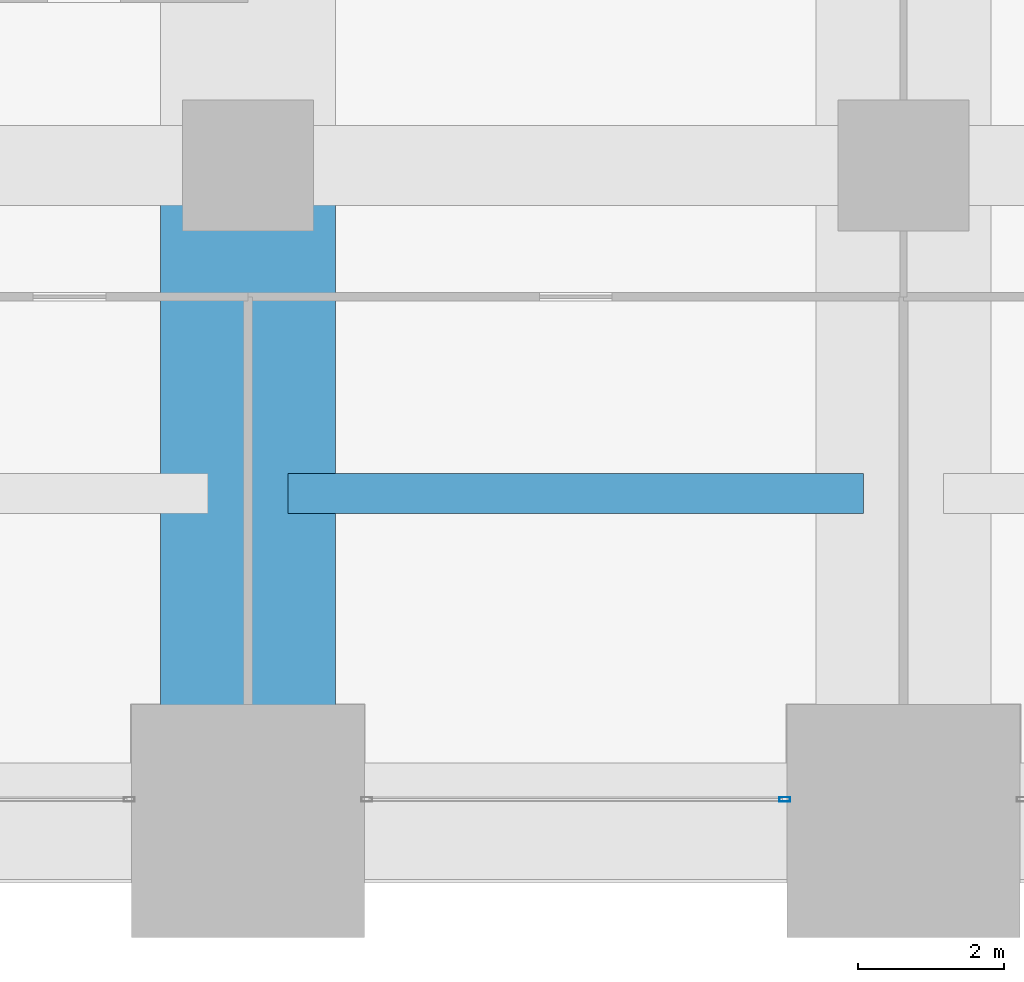
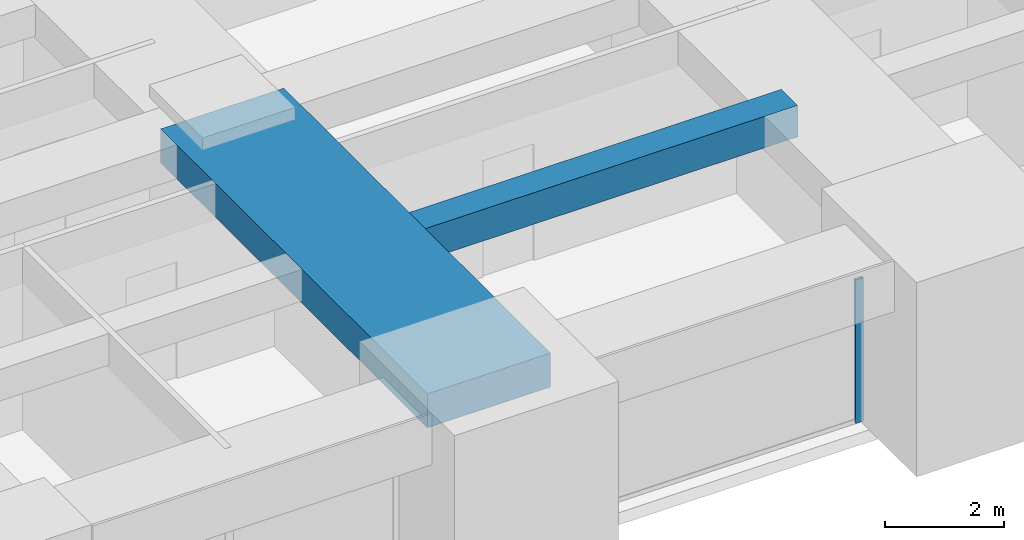
# One storey, part 7 of 36: 2 beams, 1 member, 1 element without a shape of its own.
"""IFC4 building model written with IfcOpenShell, lengths in metres."""

import ifcopenshell
import ifcopenshell.guid

model = None  # the IFC model being written
_history = None  # IfcOwnerHistory: only IFC2X3 demands one
_inside = {}  # id of a spatial element -> (the spatial element, [elements in it])
_under = {}  # id of a project, library or spatial element -> (it, [spatial elements below it])
_declared = {}  # id of a project -> (the project, [libraries it declares])
_typed = {}  # id of a type object -> (the type object, [elements of that type])
_made_of = {}  # id of a material, layer set ... -> (it, [elements and type objects made of it])


def new_model(schema):
    """Start an empty IFC model of exactly this schema.

    Asked for "IFC4X3", IfcOpenShell would pick the latest addendum, in which some entities
    have other attributes; the version numbers below select the first issue.
    IFC2X3 requires an IfcOwnerHistory on every rooted entity: one is made here for all.
    """
    global model, _history
    if schema == "IFC4X3":
        model = ifcopenshell.file(schema_version=(4, 3, 0, 0))
    else:
        model = ifcopenshell.file(schema=schema)
    _inside.clear()
    _under.clear()
    _declared.clear()
    _typed.clear()
    _made_of.clear()
    _history = None
    if model.schema == "IFC2X3":
        org = make("IfcOrganization", Name="unknown")
        user = make(
            "IfcPersonAndOrganization",
            ThePerson=make("IfcPerson", FamilyName="unknown"),
            TheOrganization=org,
        )
        app = make(
            "IfcApplication",
            ApplicationDeveloper=org,
            Version="unknown",
            ApplicationFullName="unknown",
            ApplicationIdentifier="unknown",
        )
        _history = make(
            "IfcOwnerHistory",
            OwningUser=user,
            OwningApplication=app,
            ChangeAction="ADDED",
            CreationDate=0,
        )
    return model


def make(cls, **values):
    """One entity of the class cls with the attributes given. An attribute that is None is left unset."""
    return model.create_entity(
        cls, **{name: value for name, value in values.items() if value is not None}
    )


def rooted(cls, **values):
    """An entity with a GlobalId (a new one), such as an element, a storey or a relation."""
    return make(cls, GlobalId=ifcopenshell.guid.new(), OwnerHistory=_history, **values)


def si_unit(unit_type, name, prefix=None):
    """IfcSIUnit, for example si_unit("LENGTHUNIT", "METRE", prefix="MILLI")."""
    return make("IfcSIUnit", UnitType=unit_type, Prefix=prefix, Name=name)


def assignment(units):
    """IfcUnitAssignment: the units of a project."""
    return None if units is None else make("IfcUnitAssignment", Units=units)


def point(xyz):
    """IfcCartesianPoint."""
    return None if xyz is None else make("IfcCartesianPoint", Coordinates=xyz)


def direction(xyz):
    """IfcDirection."""
    return None if xyz is None else make("IfcDirection", DirectionRatios=xyz)


def frame(location, z_axis=None, x_axis=None):
    """IfcAxis2Placement3D, a coordinate frame: its origin and axes. An axis left out is left unset."""
    return make(
        "IfcAxis2Placement3D",
        Location=point(location),
        Axis=direction(z_axis),
        RefDirection=direction(x_axis),
    )


def frame_2d(location, x_axis=None):
    """IfcAxis2Placement2D, a coordinate frame in the plane: its origin and x axis."""
    return make(
        "IfcAxis2Placement2D", Location=point(location), RefDirection=direction(x_axis)
    )


def origin():
    """The frame at (0, 0, 0) with its axes left unset."""
    return frame((0.0, 0.0, 0.0))


def origin_2d():
    """The frame at (0, 0) in the plane with its x axis left unset."""
    return frame_2d((0.0, 0.0))


def place(relative_to, where):
    """IfcLocalPlacement: puts the frame where relative to a parent placement (None: the world)."""
    return make(
        "IfcLocalPlacement", PlacementRelTo=relative_to, RelativePlacement=where
    )


def context(
    kind, dimensions, precision=None, world=None, true_north=None, identifier=None
):
    """IfcGeometricRepresentationContext, for example the 3D "Model" context."""
    return make(
        "IfcGeometricRepresentationContext",
        ContextIdentifier=identifier,
        ContextType=kind,
        CoordinateSpaceDimension=dimensions,
        Precision=precision,
        WorldCoordinateSystem=world,
        TrueNorth=true_north,
    )


def subcontext(parent, identifier, kind, view, scale=None):
    """IfcGeometricRepresentationSubContext, for example "Body" below "Model"."""
    return make(
        "IfcGeometricRepresentationSubContext",
        ContextIdentifier=identifier,
        ContextType=kind,
        ParentContext=parent,
        TargetScale=scale,
        TargetView=view,
    )


def project(units=None, contexts=None):
    """IfcProject with its units and contexts."""
    return rooted(
        "IfcProject",
        Name="project",
        RepresentationContexts=contexts,
        UnitsInContext=assignment(units),
    )


def spatial(cls, under=None, at=None, **own):
    """A site, building, storey or space (cls), placed at a placement, below another one or the project."""
    s = rooted(cls, ObjectPlacement=at, **own)
    if under is not None:
        _under.setdefault(under.id(), (under, []))[1].append(s)
    return s


def profile(cls, at=None, kind="AREA", **sizes):
    """A parametric profile (cls). Its sizes go by their IFC names, for example OverallWidth=200.0."""
    return make(cls, ProfileType=kind, Position=at, **sizes)


def rectangle(**sizes):
    """IfcRectangleProfileDef."""
    return profile("IfcRectangleProfileDef", **sizes)


def hollow_rectangle(**sizes):
    """IfcRectangleHollowProfileDef."""
    return profile("IfcRectangleHollowProfileDef", **sizes)


def extrude(swept, where, along, depth):
    """IfcExtrudedAreaSolid: the profile swept, set in the frame where, extruded along a direction by depth."""
    return make(
        "IfcExtrudedAreaSolid",
        SweptArea=swept,
        Position=where,
        ExtrudedDirection=direction(along),
        Depth=depth,
    )


def shape(context_of_items, identifier, shape_type, items):
    """IfcShapeRepresentation: the items that make up one representation, for example the "Body"."""
    return make(
        "IfcShapeRepresentation",
        ContextOfItems=context_of_items,
        RepresentationIdentifier=identifier,
        RepresentationType=shape_type,
        Items=items,
    )


def material(Name=None, Category=None):
    """IfcMaterial."""
    return make("IfcMaterial", Name=Name, Category=Category)


def material_profile(
    of_material, cross_section, Name=None, Category=None, Priority=None
):
    """IfcMaterialProfile: a cross section and its material."""
    return make(
        "IfcMaterialProfile",
        Name=Name,
        Material=of_material,
        Profile=cross_section,
        Priority=Priority,
        Category=Category,
    )


def profile_set(profiles, Name=None, composite=None):
    """IfcMaterialProfileSet."""
    return make(
        "IfcMaterialProfileSet",
        Name=Name,
        MaterialProfiles=profiles,
        CompositeProfile=composite,
    )


def made_of(thing, what):
    """Note that an element or type object is made of a material, layer set ...; save() writes the relation."""
    if what is not None:
        _made_of.setdefault(what.id(), (what, []))[1].append(thing)
    return thing


def type_object(cls, material=None, **own):
    """A type object (cls), such as IfcWallType, which elements share."""
    return made_of(rooted(cls, **own), material)


def element(
    cls,
    number,
    at=None,
    inside=None,
    cuts=None,
    type_object=None,
    material=None,
    context=None,
    identifier="Body",
    shape_type=None,
    held_by="IfcProductDefinitionShape",
    body=None,
    shapes=None,
    **own,
):
    """One element of the class cls, such as IfcWall. Its Tag is "e" and its number.

    at: its placement. inside: the storey or other place that contains it. cuts: it is an
    opening in that element (IfcRelVoidsElement). A single representation is given by context,
    identifier, shape_type and body (its items); several are given by shapes. held_by: the class
    of the entity that holds the representations. save() writes the other relations.
    """
    e = rooted(cls, Tag="e%d" % number, ObjectPlacement=at, **own)
    if body is not None:
        shapes = [shape(context, identifier, shape_type, body)]
    if shapes is not None:
        e.Representation = make(held_by, Representations=shapes)
    if inside is not None:
        _inside.setdefault(inside.id(), (inside, []))[1].append(e)
    if cuts is not None:
        rooted(
            "IfcRelVoidsElement", RelatingBuildingElement=cuts, RelatedOpeningElement=e
        )
    if type_object is not None:
        _typed.setdefault(type_object.id(), (type_object, []))[1].append(e)
    return made_of(e, material)


def aggregate(whole, parts):
    """IfcRelAggregates: a whole, such as a stair, and the parts it consists of."""
    return rooted("IfcRelAggregates", RelatingObject=whole, RelatedObjects=parts)


def save(model, path):
    """Write the relations noted so far, then the file.

    IfcRelAggregates (storeys below a building ...), IfcRelContainedInSpatialStructure (elements
    in a storey), IfcRelDefinesByType, IfcRelAssociatesMaterial and IfcRelDeclares: one each for
    every whole, place, type object, material and project.
    """
    for whole, parts in _under.values():
        aggregate(whole, parts)
    for where, things in _inside.values():
        rooted(
            "IfcRelContainedInSpatialStructure",
            RelatedElements=things,
            RelatingStructure=where,
        )
    for kind, things in _typed.values():
        rooted("IfcRelDefinesByType", RelatedObjects=things, RelatingType=kind)
    for what, things in _made_of.values():
        rooted("IfcRelAssociatesMaterial", RelatedObjects=things, RelatingMaterial=what)
    for by, libraries in _declared.values():
        rooted("IfcRelDeclares", RelatingContext=by, RelatedDefinitions=libraries)
    model.write(path)


model = new_model("IFC4")

# Units and contexts
model_context = context("Model", 3, precision=1e-05, world=origin(), true_north=direction((0.0, 1.0)))
body_context = subcontext(model_context, "Body", "Model", "MODEL_VIEW")
ifc_project = project(units=[si_unit("LENGTHUNIT", "METRE"), si_unit("AREAUNIT", "SQUARE_METRE"), si_unit("VOLUMEUNIT", "CUBIC_METRE"), si_unit("PLANEANGLEUNIT", "RADIAN"), si_unit("MASSUNIT", "GRAM", prefix="KILO")], contexts=[model_context])

# Site, building, storey
site_placement = place(None, origin())
site = spatial("IfcSite", under=ifc_project, at=site_placement, CompositionType="ELEMENT")
building_placement = place(site_placement, origin())
building = spatial("IfcBuilding", under=site, at=building_placement, Name="Zorevar Civic Tower", CompositionType="ELEMENT")
storey_placement = place(building_placement, frame((0.0, 0.0, 166.199951171875)))
storey = spatial("IfcBuildingStorey", under=building, at=storey_placement, Name="L40", CompositionType="ELEMENT", Elevation=166.199951171875)

# Beams
ifc_material_1 = material(Name="Concrete C50/60", Category="concrete")
ifc_material_profile_1 = material_profile(ifc_material_1, rectangle(XDim=2.39990234375, YDim=0.699951171875, at=origin_2d()), Name="RC 2400x700")
ifc_profile_set_1 = profile_set([ifc_material_profile_1], Name="Concrete C50/60")
beam_type_1 = type_object("IfcBeamType", Name="Beam RC 2400x700", PredefinedType="BEAM", material=ifc_profile_set_1)
beam_1_placement = place(storey_placement, frame((18.0, 0.0, 3.400146484375), z_axis=(0.0, 1.0, 0.0), x_axis=(-1.0, 0.0, 0.0)))
element("IfcBeam", 1, at=beam_1_placement, inside=storey, type_object=beam_type_1, Name="Girder L41", PredefinedType="BEAM", context=body_context, shape_type="SweptSolid", body=[
    extrude(rectangle(XDim=2.39990234375, YDim=0.699951171875, at=origin_2d()), origin(), (0.0, 0.0, 1.0), 9.0),
])
ifc_material_2 = material(Name="Concrete C50/60", Category="concrete")
ifc_material_profile_2 = material_profile(ifc_material_2, rectangle(XDim=0.550048828125, YDim=0.64990234375, at=origin_2d()), Name="RC 550x650")
ifc_profile_set_2 = profile_set([ifc_material_profile_2], Name="Concrete C50/60")
beam_type_2 = type_object("IfcBeamType", Name="Beam RC 550x650", PredefinedType="BEAM", material=ifc_profile_set_2)
beam_2_placement = place(storey_placement, frame((18.550048828125, 4.5, 3.425048828125), z_axis=(1.0, 0.0, 0.0), x_axis=(0.0, 1.0, 0.0)))
element("IfcBeam", 2, at=beam_2_placement, inside=storey, type_object=beam_type_2, Name="Secondary beam L41", PredefinedType="BEAM", context=body_context, shape_type="SweptSolid", body=[
    extrude(rectangle(XDim=0.550048828125, YDim=0.64990234375, at=origin_2d()), origin(), (0.0, 0.0, 1.0), 7.89990234375),
])

# Curtain wall, member
ifc_material_3 = material(Name="Dark grey solar-control glass in black aluminium frame", Category="aluminium")
curtain_wall_type = type_object("IfcCurtainWallType", Name="Curtain wall CW4 high zone", PredefinedType="NOTDEFINED", material=ifc_material_3)
curtain_wall_placement = place(storey_placement, origin())
curtain_wall = element("IfcCurtainWall", 3, at=curtain_wall_placement, inside=storey, type_object=curtain_wall_type, Name="CW4 L40", PredefinedType="NOTDEFINED")
ifc_material_4 = material(Name="Aluminium, black anodised", Category="aluminium")
ifc_material_profile_3 = material_profile(ifc_material_4, hollow_rectangle(XDim=0.06005859375, YDim=0.14990234375, WallThickness=0.00390625, at=origin_2d()), Name="AL 150x60x4")
ifc_profile_set_3 = profile_set([ifc_material_profile_3], Name="Aluminium, black anodised")
member_type = type_object("IfcMemberType", Name="CW4 mullion AL 150x60x4", PredefinedType="MULLION", material=ifc_profile_set_3)
member_placement = place(storey_placement, frame((25.3701171875, 0.300048828125, 0.0), z_axis=(0.0, 0.0, 1.0), x_axis=(0.0, 1.0, 0.0)))
member = element("IfcMember", 4, at=member_placement, type_object=member_type, Name="CW4 mullion 2", PredefinedType="MULLION", context=body_context, shape_type="SweptSolid", body=[
    extrude(hollow_rectangle(XDim=0.06005859375, YDim=0.14990234375, WallThickness=0.00390625, at=origin_2d()), origin(), (0.0, 0.0, 1.0), 2.949951171875),
])
aggregate(curtain_wall, [member])

save(model, "model.ifc")
